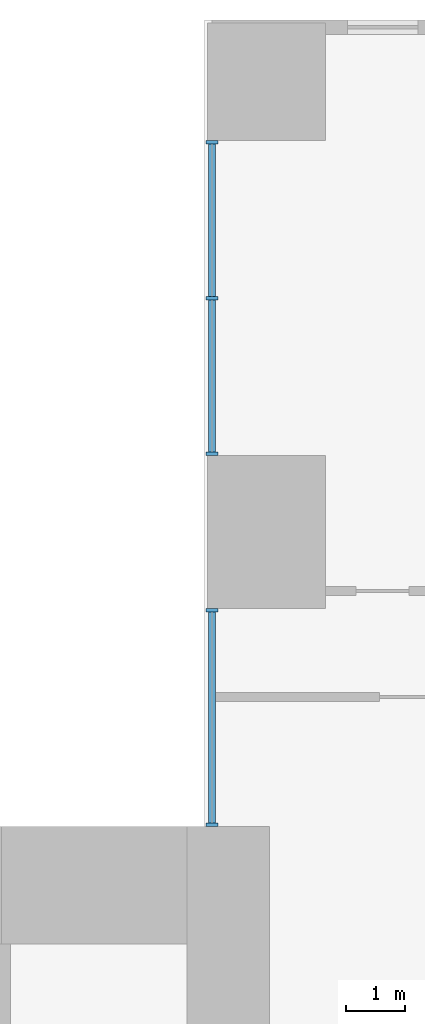
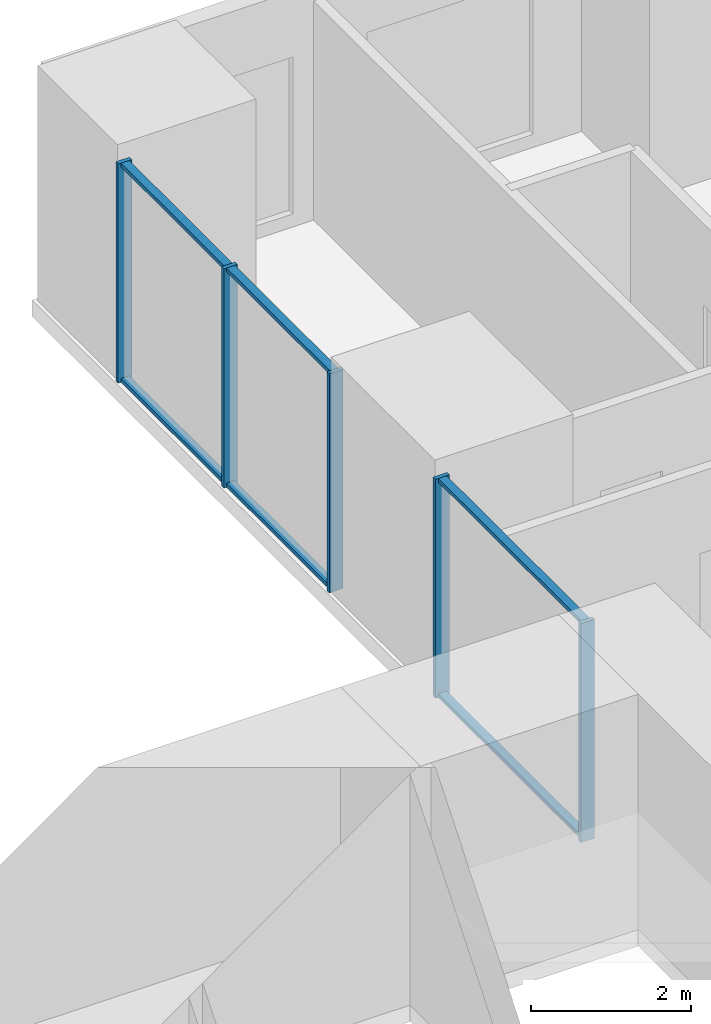
# One storey, part 5 of 20: 11 members, 2 elements without a shape of their own.
"""IFC4 building model written with IfcOpenShell, lengths in metres."""

from ifc_helpers import new_model, si_unit, direction, frame, origin, origin_2d, place, context, subcontext, project, spatial, rectangle, extrude, material, layer, layer_set, material_profile, profile_set, type_object, element, aggregate, save


model = new_model("IFC4")

# Units and contexts
model_context = context("Model", 3, precision=1e-05, world=origin(), true_north=direction((0.0, 1.0)))
body_context = subcontext(model_context, "Body", "Model", "MODEL_VIEW")
ifc_project = project(units=[si_unit("LENGTHUNIT", "METRE"), si_unit("AREAUNIT", "SQUARE_METRE"), si_unit("VOLUMEUNIT", "CUBIC_METRE"), si_unit("PLANEANGLEUNIT", "RADIAN"), si_unit("MASSUNIT", "GRAM", prefix="KILO")], contexts=[model_context])

# Site, building, storey
site_placement = place(None, origin())
site = spatial("IfcSite", under=ifc_project, at=site_placement, CompositionType="ELEMENT")
building_placement = place(site_placement, origin())
building = spatial("IfcBuilding", under=site, at=building_placement, Name="Cleftline Residences", CompositionType="ELEMENT")
storey_placement = place(building_placement, frame((0.0, 0.0, 203.800048828125)))
storey = spatial("IfcBuildingStorey", under=building, at=storey_placement, Name="L53", CompositionType="ELEMENT", Elevation=203.800048828125)

# Curtain wall, members
ifc_material_1 = material(Name="Aluminium framed curtain wall", Category="aluminium")
ifc_layer = layer(ifc_material_1, 0.199951171875)
ifc_layer_set = layer_set([ifc_layer], Name="CW1 CLEFT GLAZING")
curtain_wall_type = type_object("IfcCurtainWallType", Name="CW1 CLEFT GLAZING", PredefinedType="NOTDEFINED", material=ifc_layer_set)
curtain_wall_1_placement = place(storey_placement, origin())
curtain_wall_1 = element("IfcCurtainWall", 1, at=curtain_wall_1_placement, inside=storey, type_object=curtain_wall_type, Name="Curtain wall CW1", PredefinedType="NOTDEFINED")
ifc_material_2 = material(Name="Aluminium mullion", Category="aluminium")
ifc_material_profile_1 = material_profile(ifc_material_2, rectangle(XDim=0.199951171875, YDim=0.06005859375, at=origin_2d()))
ifc_profile_set_1 = profile_set([ifc_material_profile_1], Name="Aluminium mullion")
member_type_1 = type_object("IfcMemberType", Name="CW1 MULLION", PredefinedType="MULLION", material=ifc_profile_set_1)
member_1_placement = place(storey_placement, frame((41.425048828125, 46.6201171875, 0.0), z_axis=(0.0, 0.0, 1.0), x_axis=(1.0, 0.0, 0.0)))
member_1 = element("IfcMember", 2, at=member_1_placement, type_object=member_type_1, Name="CW1 mullion 1", PredefinedType="MULLION", context=body_context, shape_type="SweptSolid", body=[
    extrude(rectangle(XDim=0.199951171875, YDim=0.06005859375, at=origin_2d()), origin(), (0.0, 0.0, 1.0), 3.349853515625),
])
member_2_placement = place(storey_placement, frame((41.425048828125, 43.97509765625, 0.0), z_axis=(0.0, 0.0, 1.0), x_axis=(1.0, 0.0, 0.0)))
member_2 = element("IfcMember", 3, at=member_2_placement, type_object=member_type_1, Name="CW1 mullion 2", PredefinedType="MULLION", context=body_context, shape_type="SweptSolid", body=[
    extrude(rectangle(XDim=0.199951171875, YDim=0.06005859375, at=origin_2d()), origin(), (0.0, 0.0, 1.0), 3.349853515625),
])
member_3_placement = place(storey_placement, frame((41.425048828125, 41.330078125, 0.0), z_axis=(0.0, 0.0, 1.0), x_axis=(1.0, 0.0, 0.0)))
member_3 = element("IfcMember", 4, at=member_3_placement, type_object=member_type_1, Name="CW1 mullion 3", PredefinedType="MULLION", context=body_context, shape_type="SweptSolid", body=[
    extrude(rectangle(XDim=0.199951171875, YDim=0.06005859375, at=origin_2d()), origin(), (0.0, 0.0, 1.0), 3.349853515625),
])

curtain_wall_2_placement = place(storey_placement, origin())
curtain_wall_2 = element("IfcCurtainWall", 5, at=curtain_wall_2_placement, inside=storey, type_object=curtain_wall_type, Name="Curtain wall CW1", PredefinedType="NOTDEFINED")
member_4_placement = place(storey_placement, frame((41.425048828125, 38.669921875, 0.0), z_axis=(0.0, 0.0, 1.0), x_axis=(1.0, 0.0, 0.0)))
member_4 = element("IfcMember", 6, at=member_4_placement, type_object=member_type_1, Name="CW1 mullion 1", PredefinedType="MULLION", context=body_context, shape_type="SweptSolid", body=[
    extrude(rectangle(XDim=0.199951171875, YDim=0.06005859375, at=origin_2d()), origin(), (0.0, 0.0, 1.0), 3.349853515625),
])
member_5_placement = place(storey_placement, frame((41.425048828125, 35.030029296875, 0.0), z_axis=(0.0, 0.0, 1.0), x_axis=(1.0, 0.0, 0.0)))
member_5 = element("IfcMember", 7, at=member_5_placement, type_object=member_type_1, Name="CW1 mullion 2", PredefinedType="MULLION", context=body_context, shape_type="SweptSolid", body=[
    extrude(rectangle(XDim=0.199951171875, YDim=0.06005859375, at=origin_2d()), origin(), (0.0, 0.0, 1.0), 3.349853515625),
])

# Member
ifc_material_3 = material(Name="Aluminium transom", Category="aluminium")
ifc_material_profile_2 = material_profile(ifc_material_3, rectangle(XDim=0.1201171875, YDim=0.06005859375, at=origin_2d()))
ifc_profile_set_2 = profile_set([ifc_material_profile_2], Name="Aluminium transom")
member_type_2 = type_object("IfcMemberType", Name="CW1 TRANSOM", PredefinedType="USERDEFINED", material=ifc_profile_set_2)
member_6_placement = place(storey_placement, frame((41.425048828125, 46.590087890625, 0.030029296875), z_axis=(0.0, -1.0, 0.0), x_axis=(1.0, 0.0, 0.0)))
member_6 = element("IfcMember", 8, at=member_6_placement, type_object=member_type_2, Name="CW1 transom 1.1", ObjectType="TRANSOM", PredefinedType="USERDEFINED", context=body_context, shape_type="SweptSolid", body=[
    extrude(rectangle(XDim=0.1201171875, YDim=0.06005859375, at=origin_2d()), origin(), (0.0, 0.0, 1.0), 2.585205078125),
])

member_7_placement = place(storey_placement, frame((41.425048828125, 46.590087890625, 3.320068359375), z_axis=(0.0, -1.0, 0.0), x_axis=(1.0, 0.0, 0.0)))
member_7 = element("IfcMember", 9, at=member_7_placement, type_object=member_type_2, Name="CW1 transom 1.2", ObjectType="TRANSOM", PredefinedType="USERDEFINED", context=body_context, shape_type="SweptSolid", body=[
    extrude(rectangle(XDim=0.1201171875, YDim=0.06005859375, at=origin_2d()), origin(), (0.0, 0.0, 1.0), 2.585205078125),
])

member_8_placement = place(storey_placement, frame((41.425048828125, 43.945068359375, 0.030029296875), z_axis=(0.0, -1.0, 0.0), x_axis=(1.0, 0.0, 0.0)))
member_8 = element("IfcMember", 10, at=member_8_placement, type_object=member_type_2, Name="CW1 transom 2.1", ObjectType="TRANSOM", PredefinedType="USERDEFINED", context=body_context, shape_type="SweptSolid", body=[
    extrude(rectangle(XDim=0.1201171875, YDim=0.06005859375, at=origin_2d()), origin(), (0.0, 0.0, 1.0), 2.5849609375),
])

member_9_placement = place(storey_placement, frame((41.425048828125, 43.945068359375, 3.320068359375), z_axis=(0.0, -1.0, 0.0), x_axis=(1.0, 0.0, 0.0)))
member_9 = element("IfcMember", 11, at=member_9_placement, type_object=member_type_2, Name="CW1 transom 2.2", ObjectType="TRANSOM", PredefinedType="USERDEFINED", context=body_context, shape_type="SweptSolid", body=[
    extrude(rectangle(XDim=0.1201171875, YDim=0.06005859375, at=origin_2d()), origin(), (0.0, 0.0, 1.0), 2.5849609375),
])

aggregate(curtain_wall_1, [member_1, member_2, member_3, member_6, member_7, member_8, member_9])

member_10_placement = place(storey_placement, frame((41.425048828125, 38.639892578125, 0.030029296875), z_axis=(0.0, -1.0, 0.0), x_axis=(1.0, 0.0, 0.0)))
member_10 = element("IfcMember", 12, at=member_10_placement, type_object=member_type_2, Name="CW1 transom 1.1", ObjectType="TRANSOM", PredefinedType="USERDEFINED", context=body_context, shape_type="SweptSolid", body=[
    extrude(rectangle(XDim=0.1201171875, YDim=0.06005859375, at=origin_2d()), origin(), (0.0, 0.0, 1.0), 3.579833984375),
])

member_11_placement = place(storey_placement, frame((41.425048828125, 38.639892578125, 3.320068359375), z_axis=(0.0, -1.0, 0.0), x_axis=(1.0, 0.0, 0.0)))
member_11 = element("IfcMember", 13, at=member_11_placement, type_object=member_type_2, Name="CW1 transom 1.2", ObjectType="TRANSOM", PredefinedType="USERDEFINED", context=body_context, shape_type="SweptSolid", body=[
    extrude(rectangle(XDim=0.1201171875, YDim=0.06005859375, at=origin_2d()), origin(), (0.0, 0.0, 1.0), 3.579833984375),
])

aggregate(curtain_wall_2, [member_4, member_5, member_10, member_11])

save(model, "model.ifc")
